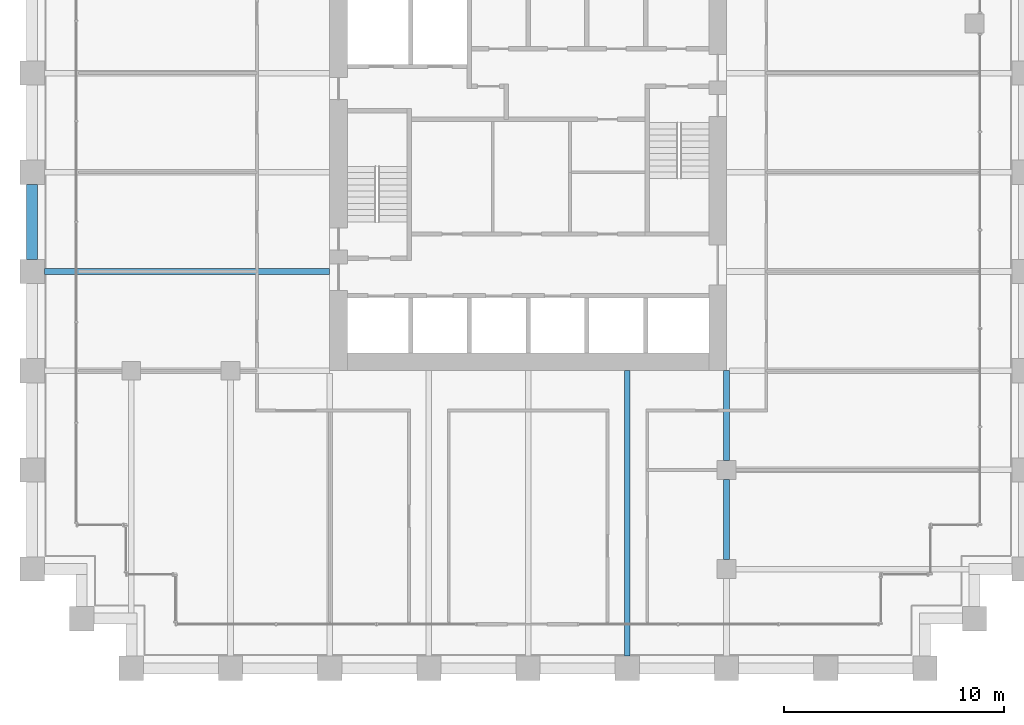
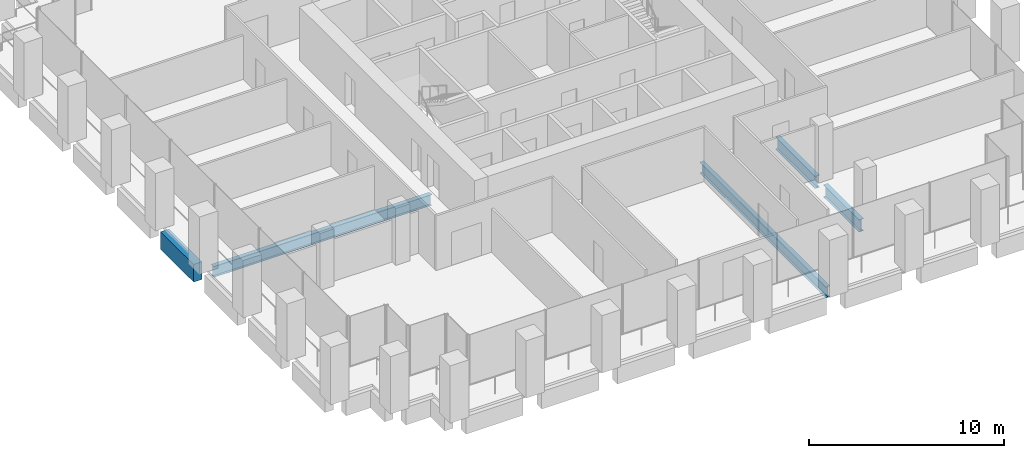
# One storey, part 10 of 56: 5 beams.
"""IFC4 building model written with IfcOpenShell, lengths in metres."""

import ifcopenshell
import ifcopenshell.guid

model = None  # the IFC model being written
_history = None  # IfcOwnerHistory: only IFC2X3 demands one
_inside = {}  # id of a spatial element -> (the spatial element, [elements in it])
_under = {}  # id of a project, library or spatial element -> (it, [spatial elements below it])
_declared = {}  # id of a project -> (the project, [libraries it declares])
_typed = {}  # id of a type object -> (the type object, [elements of that type])
_made_of = {}  # id of a material, layer set ... -> (it, [elements and type objects made of it])


def new_model(schema):
    """Start an empty IFC model of exactly this schema.

    Asked for "IFC4X3", IfcOpenShell would pick the latest addendum, in which some entities
    have other attributes; the version numbers below select the first issue.
    IFC2X3 requires an IfcOwnerHistory on every rooted entity: one is made here for all.
    """
    global model, _history
    if schema == "IFC4X3":
        model = ifcopenshell.file(schema_version=(4, 3, 0, 0))
    else:
        model = ifcopenshell.file(schema=schema)
    _inside.clear()
    _under.clear()
    _declared.clear()
    _typed.clear()
    _made_of.clear()
    _history = None
    if model.schema == "IFC2X3":
        org = make("IfcOrganization", Name="unknown")
        user = make(
            "IfcPersonAndOrganization",
            ThePerson=make("IfcPerson", FamilyName="unknown"),
            TheOrganization=org,
        )
        app = make(
            "IfcApplication",
            ApplicationDeveloper=org,
            Version="unknown",
            ApplicationFullName="unknown",
            ApplicationIdentifier="unknown",
        )
        _history = make(
            "IfcOwnerHistory",
            OwningUser=user,
            OwningApplication=app,
            ChangeAction="ADDED",
            CreationDate=0,
        )
    return model


def make(cls, **values):
    """One entity of the class cls with the attributes given. An attribute that is None is left unset."""
    return model.create_entity(
        cls, **{name: value for name, value in values.items() if value is not None}
    )


def rooted(cls, **values):
    """An entity with a GlobalId (a new one), such as an element, a storey or a relation."""
    return make(cls, GlobalId=ifcopenshell.guid.new(), OwnerHistory=_history, **values)


def si_unit(unit_type, name, prefix=None):
    """IfcSIUnit, for example si_unit("LENGTHUNIT", "METRE", prefix="MILLI")."""
    return make("IfcSIUnit", UnitType=unit_type, Prefix=prefix, Name=name)


def assignment(units):
    """IfcUnitAssignment: the units of a project."""
    return None if units is None else make("IfcUnitAssignment", Units=units)


def point(xyz):
    """IfcCartesianPoint."""
    return None if xyz is None else make("IfcCartesianPoint", Coordinates=xyz)


def direction(xyz):
    """IfcDirection."""
    return None if xyz is None else make("IfcDirection", DirectionRatios=xyz)


def frame(location, z_axis=None, x_axis=None):
    """IfcAxis2Placement3D, a coordinate frame: its origin and axes. An axis left out is left unset."""
    return make(
        "IfcAxis2Placement3D",
        Location=point(location),
        Axis=direction(z_axis),
        RefDirection=direction(x_axis),
    )


def frame_2d(location, x_axis=None):
    """IfcAxis2Placement2D, a coordinate frame in the plane: its origin and x axis."""
    return make(
        "IfcAxis2Placement2D", Location=point(location), RefDirection=direction(x_axis)
    )


def origin():
    """The frame at (0, 0, 0) with its axes left unset."""
    return frame((0.0, 0.0, 0.0))


def origin_2d():
    """The frame at (0, 0) in the plane with its x axis left unset."""
    return frame_2d((0.0, 0.0))


def place(relative_to, where):
    """IfcLocalPlacement: puts the frame where relative to a parent placement (None: the world)."""
    return make(
        "IfcLocalPlacement", PlacementRelTo=relative_to, RelativePlacement=where
    )


def context(
    kind, dimensions, precision=None, world=None, true_north=None, identifier=None
):
    """IfcGeometricRepresentationContext, for example the 3D "Model" context."""
    return make(
        "IfcGeometricRepresentationContext",
        ContextIdentifier=identifier,
        ContextType=kind,
        CoordinateSpaceDimension=dimensions,
        Precision=precision,
        WorldCoordinateSystem=world,
        TrueNorth=true_north,
    )


def subcontext(parent, identifier, kind, view, scale=None):
    """IfcGeometricRepresentationSubContext, for example "Body" below "Model"."""
    return make(
        "IfcGeometricRepresentationSubContext",
        ContextIdentifier=identifier,
        ContextType=kind,
        ParentContext=parent,
        TargetScale=scale,
        TargetView=view,
    )


def project(units=None, contexts=None):
    """IfcProject with its units and contexts."""
    return rooted(
        "IfcProject",
        Name="project",
        RepresentationContexts=contexts,
        UnitsInContext=assignment(units),
    )


def spatial(cls, under=None, at=None, **own):
    """A site, building, storey or space (cls), placed at a placement, below another one or the project."""
    s = rooted(cls, ObjectPlacement=at, **own)
    if under is not None:
        _under.setdefault(under.id(), (under, []))[1].append(s)
    return s


def profile(cls, at=None, kind="AREA", **sizes):
    """A parametric profile (cls). Its sizes go by their IFC names, for example OverallWidth=200.0."""
    return make(cls, ProfileType=kind, Position=at, **sizes)


def rectangle(**sizes):
    """IfcRectangleProfileDef."""
    return profile("IfcRectangleProfileDef", **sizes)


def i_section(**sizes):
    """IfcIShapeProfileDef."""
    return profile("IfcIShapeProfileDef", **sizes)


def extrude(swept, where, along, depth):
    """IfcExtrudedAreaSolid: the profile swept, set in the frame where, extruded along a direction by depth."""
    return make(
        "IfcExtrudedAreaSolid",
        SweptArea=swept,
        Position=where,
        ExtrudedDirection=direction(along),
        Depth=depth,
    )


def shape(context_of_items, identifier, shape_type, items):
    """IfcShapeRepresentation: the items that make up one representation, for example the "Body"."""
    return make(
        "IfcShapeRepresentation",
        ContextOfItems=context_of_items,
        RepresentationIdentifier=identifier,
        RepresentationType=shape_type,
        Items=items,
    )


def material(Name=None, Category=None):
    """IfcMaterial."""
    return make("IfcMaterial", Name=Name, Category=Category)


def material_profile(
    of_material, cross_section, Name=None, Category=None, Priority=None
):
    """IfcMaterialProfile: a cross section and its material."""
    return make(
        "IfcMaterialProfile",
        Name=Name,
        Material=of_material,
        Profile=cross_section,
        Priority=Priority,
        Category=Category,
    )


def profile_set(profiles, Name=None, composite=None):
    """IfcMaterialProfileSet."""
    return make(
        "IfcMaterialProfileSet",
        Name=Name,
        MaterialProfiles=profiles,
        CompositeProfile=composite,
    )


def made_of(thing, what):
    """Note that an element or type object is made of a material, layer set ...; save() writes the relation."""
    if what is not None:
        _made_of.setdefault(what.id(), (what, []))[1].append(thing)
    return thing


def type_object(cls, material=None, **own):
    """A type object (cls), such as IfcWallType, which elements share."""
    return made_of(rooted(cls, **own), material)


def element(
    cls,
    number,
    at=None,
    inside=None,
    cuts=None,
    type_object=None,
    material=None,
    context=None,
    identifier="Body",
    shape_type=None,
    held_by="IfcProductDefinitionShape",
    body=None,
    shapes=None,
    **own,
):
    """One element of the class cls, such as IfcWall. Its Tag is "e" and its number.

    at: its placement. inside: the storey or other place that contains it. cuts: it is an
    opening in that element (IfcRelVoidsElement). A single representation is given by context,
    identifier, shape_type and body (its items); several are given by shapes. held_by: the class
    of the entity that holds the representations. save() writes the other relations.
    """
    e = rooted(cls, Tag="e%d" % number, ObjectPlacement=at, **own)
    if body is not None:
        shapes = [shape(context, identifier, shape_type, body)]
    if shapes is not None:
        e.Representation = make(held_by, Representations=shapes)
    if inside is not None:
        _inside.setdefault(inside.id(), (inside, []))[1].append(e)
    if cuts is not None:
        rooted(
            "IfcRelVoidsElement", RelatingBuildingElement=cuts, RelatedOpeningElement=e
        )
    if type_object is not None:
        _typed.setdefault(type_object.id(), (type_object, []))[1].append(e)
    return made_of(e, material)


def aggregate(whole, parts):
    """IfcRelAggregates: a whole, such as a stair, and the parts it consists of."""
    return rooted("IfcRelAggregates", RelatingObject=whole, RelatedObjects=parts)


def save(model, path):
    """Write the relations noted so far, then the file.

    IfcRelAggregates (storeys below a building ...), IfcRelContainedInSpatialStructure (elements
    in a storey), IfcRelDefinesByType, IfcRelAssociatesMaterial and IfcRelDeclares: one each for
    every whole, place, type object, material and project.
    """
    for whole, parts in _under.values():
        aggregate(whole, parts)
    for where, things in _inside.values():
        rooted(
            "IfcRelContainedInSpatialStructure",
            RelatedElements=things,
            RelatingStructure=where,
        )
    for kind, things in _typed.values():
        rooted("IfcRelDefinesByType", RelatedObjects=things, RelatingType=kind)
    for what, things in _made_of.values():
        rooted("IfcRelAssociatesMaterial", RelatedObjects=things, RelatingMaterial=what)
    for by, libraries in _declared.values():
        rooted("IfcRelDeclares", RelatingContext=by, RelatedDefinitions=libraries)
    model.write(path)


model = new_model("IFC4")

# Units and contexts
model_context = context("Model", 3, precision=1e-05, world=origin(), true_north=direction((0.0, 1.0)))
body_context = subcontext(model_context, "Body", "Model", "MODEL_VIEW")
ifc_project = project(units=[si_unit("LENGTHUNIT", "METRE"), si_unit("AREAUNIT", "SQUARE_METRE"), si_unit("VOLUMEUNIT", "CUBIC_METRE"), si_unit("PLANEANGLEUNIT", "RADIAN"), si_unit("MASSUNIT", "GRAM", prefix="KILO")], contexts=[model_context])

# Site, building, storey
site_placement = place(None, origin())
site = spatial("IfcSite", under=ifc_project, at=site_placement, CompositionType="ELEMENT")
building_placement = place(site_placement, origin())
building = spatial("IfcBuilding", under=site, at=building_placement, Name="Altepetl Exchange Towers", CompositionType="ELEMENT")
storey_placement = place(building_placement, frame((0.0, 0.0, 69.0)))
storey = spatial("IfcBuildingStorey", under=building, at=storey_placement, Name="L16", CompositionType="ELEMENT", Elevation=69.0)

# Beams
ifc_material_1 = material(Name="Steel S355", Category="steel")
ifc_material_profile_1 = material_profile(ifc_material_1, i_section(OverallWidth=0.25390625, OverallDepth=0.68408203125, WebThickness=0.012451171875, FlangeThickness=0.018798828125, at=origin_2d()), Name="W27X94")
ifc_profile_set_1 = profile_set([ifc_material_profile_1], Name="Steel S355")
beam_type_1 = type_object("IfcBeamType", Name="Floor beam W27X94", PredefinedType="BEAM", material=ifc_profile_set_1)
for number, where, z_axis, x_axis, name in (
    (1, (54.0, 27.550048828125, -0.491943359375), (0.0, 1.0, 0.0), (-1.0, 0.0, 0.0), "bm:A:L16:017"),
    (2, (27.550048828125, 45.0, -0.491943359375), (1.0, 0.0, 0.0), (0.0, 1.0, 0.0), "bm:A:L16:018"),
):
    element("IfcBeam", number, at=place(storey_placement, frame(where, z_axis=z_axis, x_axis=x_axis)), inside=storey, type_object=beam_type_1, Name=name, PredefinedType="BEAM", context=body_context, shape_type="SweptSolid", body=[
        extrude(i_section(OverallWidth=0.25390625, OverallDepth=0.68408203125, WebThickness=0.012451171875, FlangeThickness=0.018798828125, at=origin_2d()), origin(), (0.0, 0.0, 1.0), 12.949951171875),
    ])
ifc_material_profile_2 = material_profile(ifc_material_1, i_section(OverallWidth=0.26806640625, OverallDepth=0.77392578125, WebThickness=0.015380859375, FlangeThickness=0.025390625, at=origin_2d()), Name="W30X132")
ifc_profile_set_2 = profile_set([ifc_material_profile_2], Name="Steel S355")
beam_type_2 = type_object("IfcBeamType", Name="Girder W30X132", PredefinedType="BEAM", material=ifc_profile_set_2)
beam_1_placement = place(storey_placement, frame((58.5, 40.5, -0.537109375), z_axis=(0.0, -1.0, 0.0), x_axis=(1.0, 0.0, 0.0)))
element("IfcBeam", 3, at=beam_1_placement, inside=storey, type_object=beam_type_2, Name="gd:A:L16:006", PredefinedType="BEAM", context=body_context, shape_type="SweptSolid", body=[
    extrude(i_section(OverallWidth=0.26806640625, OverallDepth=0.77392578125, WebThickness=0.015380859375, FlangeThickness=0.025390625, at=origin_2d()), origin(), (0.0, 0.0, 1.0), 4.074951171875),
])
beam_2_placement = place(storey_placement, frame((58.5, 35.574951171875, -0.537109375), z_axis=(0.0, -1.0, 0.0), x_axis=(1.0, 0.0, 0.0)))
element("IfcBeam", 4, at=beam_2_placement, inside=storey, type_object=beam_type_2, Name="gd:A:L16:007", PredefinedType="BEAM", context=body_context, shape_type="SweptSolid", body=[
    extrude(i_section(OverallWidth=0.26806640625, OverallDepth=0.77392578125, WebThickness=0.015380859375, FlangeThickness=0.025390625, at=origin_2d()), origin(), (0.0, 0.0, 1.0), 3.64990234375),
])
ifc_material_2 = material(Name="Concrete C50/60 precast with tezontle facing", Category="concrete")
ifc_material_profile_3 = material_profile(ifc_material_2, rectangle(XDim=0.5, YDim=1.10009765625, at=origin_2d()), Name="500 x 1100")
ifc_profile_set_3 = profile_set([ifc_material_profile_3], Name="Concrete C50/60 precast with tezontle facing")
beam_type_3 = type_object("IfcBeamType", Name="Spandrel beam 500x1100 tezontle", PredefinedType="SPANDREL", material=ifc_profile_set_3)
beam_3_placement = place(storey_placement, frame((27.0, 48.949951171875, -0.699951171875), z_axis=(0.0, -1.0, 0.0), x_axis=(1.0, 0.0, 0.0)))
element("IfcBeam", 5, at=beam_3_placement, inside=storey, type_object=beam_type_3, Name="sp:A:L16:040", PredefinedType="SPANDREL", context=body_context, shape_type="SweptSolid", body=[
    extrude(rectangle(XDim=0.5, YDim=1.10009765625, at=origin_2d()), origin(), (0.0, 0.0, 1.0), 3.39990234375),
])

save(model, "model.ifc")
